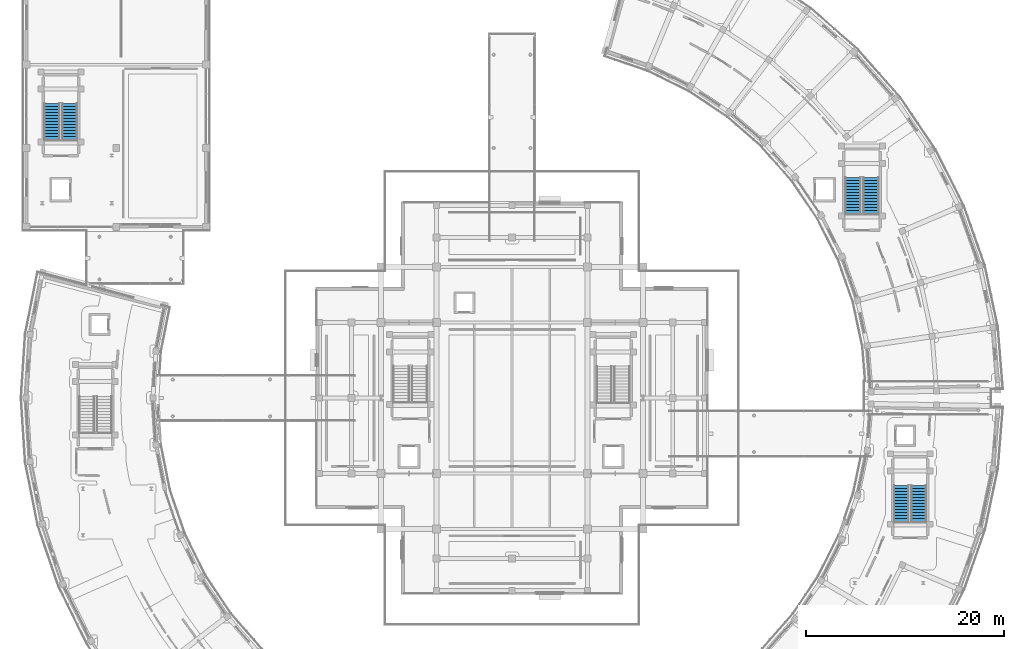
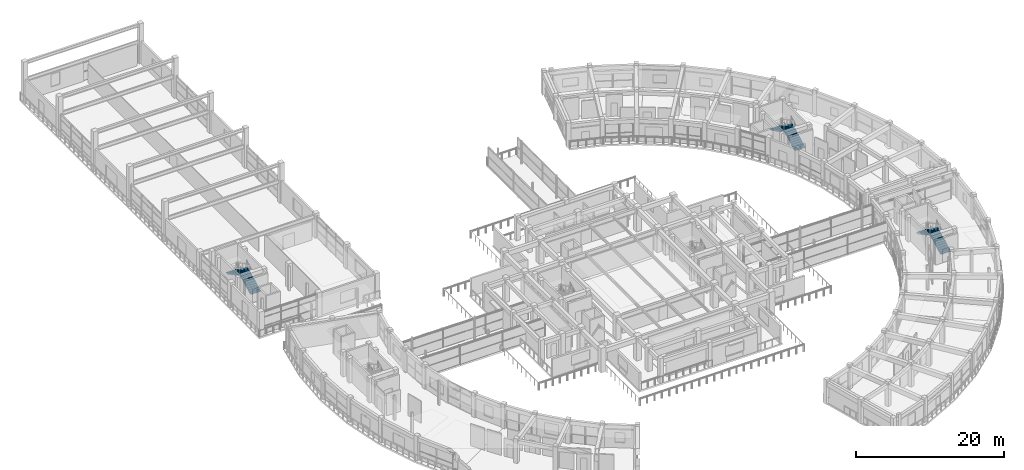
# One storey, part 55 of 72: 6 stair flights, 3 elements without a shape of their own.
"""IFC4 building model written with IfcOpenShell, lengths in metres."""

from ifc_helpers import new_model, si_unit, direction, frame, origin, place, context, subcontext, project, spatial, polyline, outline, extrude, material, type_object, element, aggregate, save


model = new_model("IFC4")

# Units and contexts
model_context = context("Model", 3, precision=1e-05, world=origin(), true_north=direction((0.0, 1.0)))
body_context = subcontext(model_context, "Body", "Model", "MODEL_VIEW")
ifc_project = project(units=[si_unit("LENGTHUNIT", "METRE"), si_unit("AREAUNIT", "SQUARE_METRE"), si_unit("VOLUMEUNIT", "CUBIC_METRE"), si_unit("PLANEANGLEUNIT", "RADIAN"), si_unit("MASSUNIT", "GRAM", prefix="KILO")], contexts=[model_context])

# Site, building, storey
site_placement = place(None, origin())
site = spatial("IfcSite", under=ifc_project, at=site_placement, CompositionType="ELEMENT")
building_placement = place(site_placement, origin())
building = spatial("IfcBuilding", under=site, at=building_placement, Name="Saryqyr Civic Hall", CompositionType="ELEMENT")
storey_placement = place(building_placement, frame((0.0, 0.0, 17.25)))
storey = spatial("IfcBuildingStorey", under=building, at=storey_placement, Name="L04", CompositionType="ELEMENT", Elevation=17.25)

# Stair, stair flights
ifc_material = material(Name="Concrete C35/45", Category="concrete")
stair_type_1 = type_object("IfcStairType", Name="INT-STR-ST-3", PredefinedType="HALF_TURN_STAIR", material=ifc_material)
stair_1_placement = place(storey_placement, origin())
stair_1 = element("IfcStair", 1, at=stair_1_placement, inside=storey, type_object=stair_type_1, Name="L04 Protected Exit Stair ST-3", PredefinedType="HALF_TURN_STAIR")
stair_flight_type_1 = type_object("IfcStairFlightType", Name="INT-SFL-ST-3", PredefinedType="STRAIGHT", material=ifc_material)
stair_flight_1_placement = place(storey_placement, frame((12.409912109375, 110.080078125, 0.0), z_axis=(0.0, 0.0, 1.0), x_axis=(0.0, 1.0, 0.0)))
stair_flight_1 = element("IfcStairFlight", 2, at=stair_flight_1_placement, type_object=stair_flight_type_1, Name="ST-3 flight 1", NumberOfRisers=13, NumberOfTreads=12, PredefinedType="STRAIGHT", RiserHeight=0.155769231, TreadLength=0.3, context=body_context, shape_type="SweptSolid", body=[
    extrude(outline(polyline([(0.0, 0.0), (0.0, 0.15576171875), (0.300048828125, 0.15576171875), (0.300048828125, 0.3115234375), (0.60009765625, 0.3115234375), (0.60009765625, 0.46728515625), (0.89990234375, 0.46728515625), (0.89990234375, 0.623046875), (1.199951171875, 0.623046875), (1.199951171875, 0.77880859375), (1.5, 0.77880859375), (1.5, 0.9345703125), (1.800048828125, 0.9345703125), (1.800048828125, 1.09033203125), (2.10009765625, 1.09033203125), (2.10009765625, 1.24609375), (2.39990234375, 1.24609375), (2.39990234375, 1.40185546875), (2.699951171875, 1.40185546875), (2.699951171875, 1.5576171875), (3.0, 1.5576171875), (3.0, 1.71337890625), (3.300048828125, 1.71337890625), (3.300048828125, 1.869140625), (3.60009765625, 1.869140625), (3.60009765625, 2.02490234375), (3.60009765625, 1.700439453125), (0.3251953125, 0.0), (0.0, 0.0)])), frame((0.0, 0.7900390625, 0.0), z_axis=(0.0, -1.0, 0.0), x_axis=(1.0, 0.0, 0.0)), (0.0, 0.0, 1.0), 1.580078125),
])
stair_flight_2_placement = place(storey_placement, frame((10.6298828125, 113.679931640625, 2.02490234375), z_axis=(0.0, 0.0, 1.0), x_axis=(0.0, -1.0, 0.0)))
stair_flight_2 = element("IfcStairFlight", 3, at=stair_flight_2_placement, type_object=stair_flight_type_1, Name="ST-3 flight 2", NumberOfRisers=13, NumberOfTreads=12, PredefinedType="STRAIGHT", RiserHeight=0.155769231, TreadLength=0.3, context=body_context, shape_type="SweptSolid", body=[
    extrude(outline(polyline([(0.0, 0.0), (0.0, 0.15576171875), (0.300048828125, 0.15576171875), (0.300048828125, 0.3115234375), (0.60009765625, 0.3115234375), (0.60009765625, 0.46728515625), (0.89990234375, 0.46728515625), (0.89990234375, 0.623046875), (1.199951171875, 0.623046875), (1.199951171875, 0.77880859375), (1.5, 0.77880859375), (1.5, 0.9345703125), (1.800048828125, 0.9345703125), (1.800048828125, 1.09033203125), (2.10009765625, 1.09033203125), (2.10009765625, 1.24609375), (2.39990234375, 1.24609375), (2.39990234375, 1.40185546875), (2.699951171875, 1.40185546875), (2.699951171875, 1.5576171875), (3.0, 1.5576171875), (3.0, 1.71337890625), (3.300048828125, 1.71337890625), (3.300048828125, 1.869140625), (3.60009765625, 1.869140625), (3.60009765625, 2.02490234375), (3.60009765625, 1.700439453125), (0.3251953125, 0.0), (0.0, 0.0)])), frame((0.0, 0.7900390625, 0.0), z_axis=(0.0, -1.0, 0.0), x_axis=(1.0, 0.0, 0.0)), (0.0, 0.0, 1.0), 1.580078125),
])
aggregate(stair_1, [stair_flight_1, stair_flight_2])

stair_type_2 = type_object("IfcStairType", Name="INT-STR-ST-5", PredefinedType="HALF_TURN_STAIR", material=ifc_material)
stair_2_placement = place(storey_placement, origin())
stair_2 = element("IfcStair", 4, at=stair_2_placement, inside=storey, type_object=stair_type_2, Name="L04 Protected Exit Stair ST-5", PredefinedType="HALF_TURN_STAIR")
stair_flight_type_2 = type_object("IfcStairFlightType", Name="INT-SFL-ST-5", PredefinedType="STRAIGHT", material=ifc_material)
stair_flight_3_placement = place(storey_placement, frame((98.02001953125, 71.56005859375, 0.0), z_axis=(0.0, 0.0, 1.0), x_axis=(0.0, 1.0, 0.0)))
stair_flight_3 = element("IfcStairFlight", 5, at=stair_flight_3_placement, type_object=stair_flight_type_2, Name="ST-5 flight 1", NumberOfRisers=13, NumberOfTreads=12, PredefinedType="STRAIGHT", RiserHeight=0.155769231, TreadLength=0.3, context=body_context, shape_type="SweptSolid", body=[
    extrude(outline(polyline([(0.0, 0.0), (0.0, 0.15576171875), (0.300048828125, 0.15576171875), (0.300048828125, 0.3115234375), (0.60009765625, 0.3115234375), (0.60009765625, 0.46728515625), (0.89990234375, 0.46728515625), (0.89990234375, 0.623046875), (1.199951171875, 0.623046875), (1.199951171875, 0.77880859375), (1.5, 0.77880859375), (1.5, 0.9345703125), (1.800048828125, 0.9345703125), (1.800048828125, 1.09033203125), (2.10009765625, 1.09033203125), (2.10009765625, 1.24609375), (2.39990234375, 1.24609375), (2.39990234375, 1.40185546875), (2.699951171875, 1.40185546875), (2.699951171875, 1.5576171875), (3.0, 1.5576171875), (3.0, 1.71337890625), (3.300048828125, 1.71337890625), (3.300048828125, 1.869140625), (3.60009765625, 1.869140625), (3.60009765625, 2.02490234375), (3.60009765625, 1.700439453125), (0.3251953125, 0.0), (0.0, 0.0)])), frame((0.0, 0.780029296875, 0.0), z_axis=(0.0, -1.0, 0.0), x_axis=(1.0, 0.0, 0.0)), (0.0, 0.0, 1.0), 1.56005859375),
])
stair_flight_4_placement = place(storey_placement, frame((96.260009765625, 75.159912109375, 2.02490234375), z_axis=(0.0, 0.0, 1.0), x_axis=(0.0, -1.0, 0.0)))
stair_flight_4 = element("IfcStairFlight", 6, at=stair_flight_4_placement, type_object=stair_flight_type_2, Name="ST-5 flight 2", NumberOfRisers=13, NumberOfTreads=12, PredefinedType="STRAIGHT", RiserHeight=0.155769231, TreadLength=0.3, context=body_context, shape_type="SweptSolid", body=[
    extrude(outline(polyline([(0.0, 0.0), (0.0, 0.15576171875), (0.300048828125, 0.15576171875), (0.300048828125, 0.3115234375), (0.60009765625, 0.3115234375), (0.60009765625, 0.46728515625), (0.89990234375, 0.46728515625), (0.89990234375, 0.623046875), (1.199951171875, 0.623046875), (1.199951171875, 0.77880859375), (1.5, 0.77880859375), (1.5, 0.9345703125), (1.800048828125, 0.9345703125), (1.800048828125, 1.09033203125), (2.10009765625, 1.09033203125), (2.10009765625, 1.24609375), (2.39990234375, 1.24609375), (2.39990234375, 1.40185546875), (2.699951171875, 1.40185546875), (2.699951171875, 1.5576171875), (3.0, 1.5576171875), (3.0, 1.71337890625), (3.300048828125, 1.71337890625), (3.300048828125, 1.869140625), (3.60009765625, 1.869140625), (3.60009765625, 2.02490234375), (3.60009765625, 1.700439453125), (0.3251953125, 0.0), (0.0, 0.0)])), frame((0.0, 0.780029296875, 0.0), z_axis=(0.0, -1.0, 0.0), x_axis=(1.0, 0.0, 0.0)), (0.0, 0.0, 1.0), 1.56005859375),
])
aggregate(stair_2, [stair_flight_3, stair_flight_4])

stair_type_3 = type_object("IfcStairType", Name="INT-STR-ST-6", PredefinedType="HALF_TURN_STAIR", material=ifc_material)
stair_3_placement = place(storey_placement, origin())
stair_3 = element("IfcStair", 7, at=stair_3_placement, inside=storey, type_object=stair_type_3, Name="L04 Protected Exit Stair ST-6", PredefinedType="HALF_TURN_STAIR")
stair_flight_type_3 = type_object("IfcStairFlightType", Name="INT-SFL-ST-6", PredefinedType="STRAIGHT", material=ifc_material)
stair_flight_5_placement = place(storey_placement, frame((93.18994140625, 102.6201171875, 0.0), z_axis=(0.0, 0.0, 1.0), x_axis=(0.0, 1.0, 0.0)))
stair_flight_5 = element("IfcStairFlight", 8, at=stair_flight_5_placement, type_object=stair_flight_type_3, Name="ST-6 flight 1", NumberOfRisers=13, NumberOfTreads=12, PredefinedType="STRAIGHT", RiserHeight=0.155769231, TreadLength=0.3, context=body_context, shape_type="SweptSolid", body=[
    extrude(outline(polyline([(0.0, 0.0), (0.0, 0.15576171875), (0.300048828125, 0.15576171875), (0.300048828125, 0.3115234375), (0.60009765625, 0.3115234375), (0.60009765625, 0.46728515625), (0.89990234375, 0.46728515625), (0.89990234375, 0.623046875), (1.199951171875, 0.623046875), (1.199951171875, 0.77880859375), (1.5, 0.77880859375), (1.5, 0.9345703125), (1.800048828125, 0.9345703125), (1.800048828125, 1.09033203125), (2.10009765625, 1.09033203125), (2.10009765625, 1.24609375), (2.39990234375, 1.24609375), (2.39990234375, 1.40185546875), (2.699951171875, 1.40185546875), (2.699951171875, 1.5576171875), (3.0, 1.5576171875), (3.0, 1.71337890625), (3.300048828125, 1.71337890625), (3.300048828125, 1.869140625), (3.60009765625, 1.869140625), (3.60009765625, 2.02490234375), (3.60009765625, 1.700439453125), (0.3251953125, 0.0), (0.0, 0.0)])), frame((0.0, 0.81005859375, 0.0), z_axis=(0.0, -1.0, 0.0), x_axis=(1.0, 0.0, 0.0)), (0.0, 0.0, 1.0), 1.6201171875),
])
stair_flight_6_placement = place(storey_placement, frame((91.3701171875, 106.219970703125, 2.02490234375), z_axis=(0.0, 0.0, 1.0), x_axis=(0.0, -1.0, 0.0)))
stair_flight_6 = element("IfcStairFlight", 9, at=stair_flight_6_placement, type_object=stair_flight_type_3, Name="ST-6 flight 2", NumberOfRisers=13, NumberOfTreads=12, PredefinedType="STRAIGHT", RiserHeight=0.155769231, TreadLength=0.3, context=body_context, shape_type="SweptSolid", body=[
    extrude(outline(polyline([(0.0, 0.0), (0.0, 0.15576171875), (0.300048828125, 0.15576171875), (0.300048828125, 0.3115234375), (0.60009765625, 0.3115234375), (0.60009765625, 0.46728515625), (0.89990234375, 0.46728515625), (0.89990234375, 0.623046875), (1.199951171875, 0.623046875), (1.199951171875, 0.77880859375), (1.5, 0.77880859375), (1.5, 0.9345703125), (1.800048828125, 0.9345703125), (1.800048828125, 1.09033203125), (2.10009765625, 1.09033203125), (2.10009765625, 1.24609375), (2.39990234375, 1.24609375), (2.39990234375, 1.40185546875), (2.699951171875, 1.40185546875), (2.699951171875, 1.5576171875), (3.0, 1.5576171875), (3.0, 1.71337890625), (3.300048828125, 1.71337890625), (3.300048828125, 1.869140625), (3.60009765625, 1.869140625), (3.60009765625, 2.02490234375), (3.60009765625, 1.700439453125), (0.3251953125, 0.0), (0.0, 0.0)])), frame((0.0, 0.81005859375, 0.0), z_axis=(0.0, -1.0, 0.0), x_axis=(1.0, 0.0, 0.0)), (0.0, 0.0, 1.0), 1.6201171875),
])
aggregate(stair_3, [stair_flight_5, stair_flight_6])

save(model, "model.ifc")
